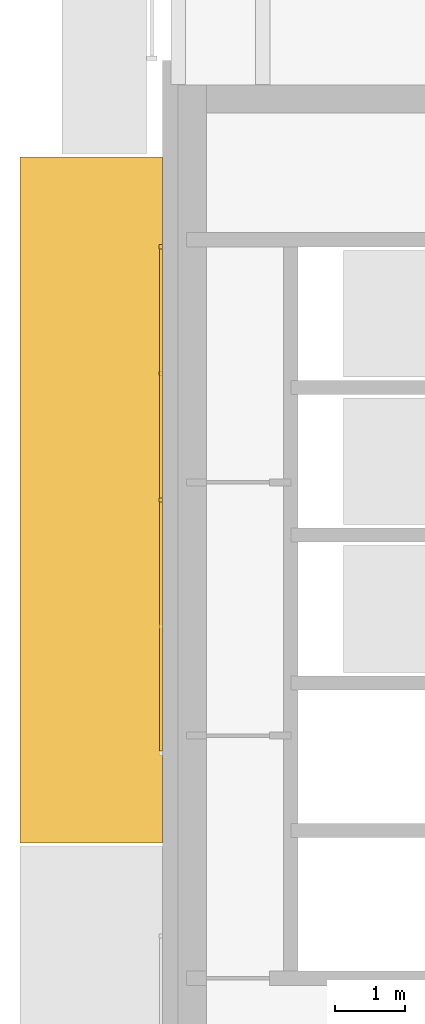
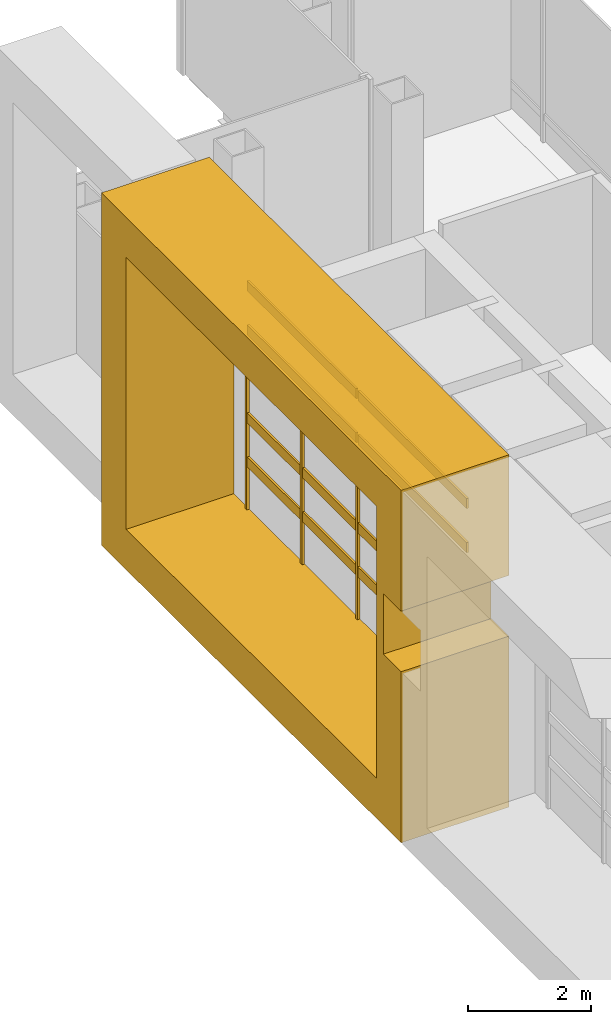
# One storey, part 17 of 21: 12 coverings.
"""IFC4 building model written with IfcOpenShell, lengths in metres."""

from ifc_helpers import new_model, si_unit, direction, frame, origin, origin_2d, place, context, subcontext, project, spatial, polyline, rectangle, outline, extrude, material, type_object, element, save


model = new_model("IFC4")

# Units and contexts
model_context = context("Model", 3, precision=1e-05, world=origin(), true_north=direction((0.0, 1.0)))
body_context = subcontext(model_context, "Body", "Model", "MODEL_VIEW")
ifc_project = project(units=[si_unit("LENGTHUNIT", "METRE"), si_unit("AREAUNIT", "SQUARE_METRE"), si_unit("VOLUMEUNIT", "CUBIC_METRE"), si_unit("PLANEANGLEUNIT", "RADIAN"), si_unit("MASSUNIT", "GRAM", prefix="KILO")], contexts=[model_context])

# Site, building, storey
site_placement = place(None, origin())
site = spatial("IfcSite", under=ifc_project, at=site_placement, CompositionType="ELEMENT")
building_placement = place(site_placement, origin())
building = spatial("IfcBuilding", under=site, at=building_placement, Name="Cobrizo Arcos Hotel Tower", CompositionType="ELEMENT")
storey_placement = place(building_placement, frame((0.0, 0.0, 283.0)))
storey = spatial("IfcBuildingStorey", under=building, at=storey_placement, Name="L75", CompositionType="ELEMENT", Elevation=283.0)

# Coverings
ifc_material_1 = material(Name="Aluminium 6063-T6 anodised bronze", Category="aluminium")
covering_type_1 = type_object("IfcCoveringType", Name="FIN-F 2025", PredefinedType="CLADDING", material=ifc_material_1)
covering_placement = place(storey_placement, frame((-20.625, 9.77490234375, 0.0), z_axis=(-1.0, 0.0, 0.0), x_axis=(0.0, -1.0, 0.0)))
element("IfcCovering", 1, at=covering_placement, inside=storey, type_object=covering_type_1, Name="Fin frame 448", PredefinedType="CLADDING", context=body_context, shape_type="SweptSolid", body=[
    extrude(outline(polyline([(9.75, 0.0), (9.75, 3.39794921875), (9.173095703125, 3.39794921875), (9.173095703125, 4.60205078125), (9.75, 4.60205078125), (9.75, 7.0), (0.0, 7.0), (0.0, 0.0), (9.75, 0.0)]), holes=[polyline([(8.949951171875, 0.800048828125), (0.800048828125, 0.800048828125), (0.800048828125, 6.199951171875), (8.949951171875, 6.199951171875), (8.949951171875, 0.800048828125)])]), origin(), (0.0, 0.0, 1.0), 2.02490234375),
])
ifc_material_2 = material(Name="Aluminium 6063-T6 anodised pale", Category="aluminium")
covering_type_2 = type_object("IfcCoveringType", Name="RS-2 rainscreen rib 60x50", PredefinedType="CLADDING", material=ifc_material_2)
for number, where, z_axis, x_axis, name in (
    (2, (-20.64990234375, 8.5, 0.800048828125), (0.0, 0.0, 1.0), (0.0, -1.0, 0.0), "Rainscreen rib 371"),
    (3, (-20.64990234375, 6.699951171875, 0.800048828125), (0.0, 0.0, 1.0), (0.0, -1.0, 0.0), "Rainscreen rib 372"),
    (4, (-20.64990234375, 4.89990234375, 0.800048828125), (0.0, 0.0, 1.0), (0.0, -1.0, 0.0), "Rainscreen rib 373"),
):
    element("IfcCovering", number, at=place(storey_placement, frame(where, z_axis=z_axis, x_axis=x_axis)), inside=storey, type_object=covering_type_2, Name=name, PredefinedType="CLADDING", context=body_context, shape_type="SweptSolid", body=[
        extrude(rectangle(XDim=0.06005859375, YDim=0.050048828125, at=origin_2d()), origin(), (0.0, 0.0, 1.0), 5.39990234375),
    ])
covering_type_3 = type_object("IfcCoveringType", Name="RS-3 rainscreen louvre slat 200x40", PredefinedType="CLADDING", material=ifc_material_2)
for number, where, z_axis, x_axis, name in (
    (5, (-20.64501953125, 6.699951171875, 1.64990234375), (0.0, 0.0, 1.0), (0.0, -1.0, 0.0), "Rainscreen slat 261"),
    (6, (-20.64501953125, 6.699951171875, 2.52490234375), (0.0, 0.0, 1.0), (0.0, -1.0, 0.0), "Rainscreen slat 262"),
    (7, (-20.64501953125, 3.10009765625, 1.64990234375), (0.0, 0.0, 1.0), (0.0, -1.0, 0.0), "Rainscreen slat 263"),
    (8, (-20.64501953125, 3.10009765625, 2.52490234375), (0.0, 0.0, 1.0), (0.0, -1.0, 0.0), "Rainscreen slat 264"),
    (9, (-20.64501953125, 6.699951171875, 4.27490234375), (0.0, 0.0, 1.0), (0.0, -1.0, 0.0), "Rainscreen slat 265"),
    (10, (-20.64501953125, 6.699951171875, 5.14990234375), (0.0, 0.0, 1.0), (0.0, -1.0, 0.0), "Rainscreen slat 266"),
    (11, (-20.64501953125, 3.10009765625, 4.27490234375), (0.0, 0.0, 1.0), (0.0, -1.0, 0.0), "Rainscreen slat 267"),
    (12, (-20.64501953125, 3.10009765625, 5.14990234375), (0.0, 0.0, 1.0), (0.0, -1.0, 0.0), "Rainscreen slat 268"),
):
    element("IfcCovering", number, at=place(storey_placement, frame(where, z_axis=z_axis, x_axis=x_axis)), inside=storey, type_object=covering_type_3, Name=name, PredefinedType="CLADDING", context=body_context, shape_type="SweptSolid", body=[
        extrude(rectangle(XDim=3.5400390625, YDim=0.0400390625, at=origin_2d()), origin(), (0.0, 0.0, 1.0), 0.199951171875),
    ])

save(model, "model.ifc")
